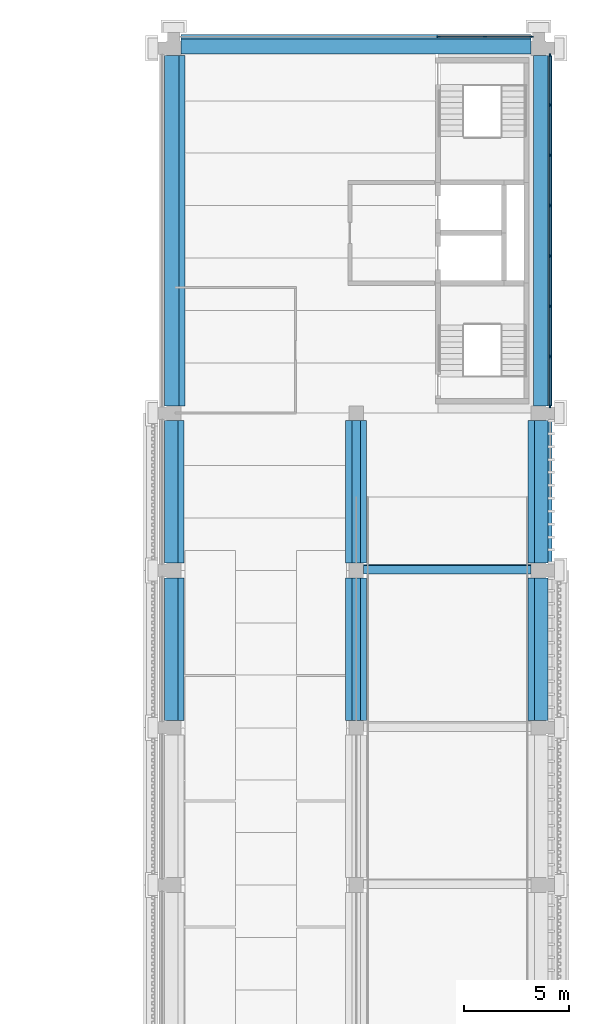
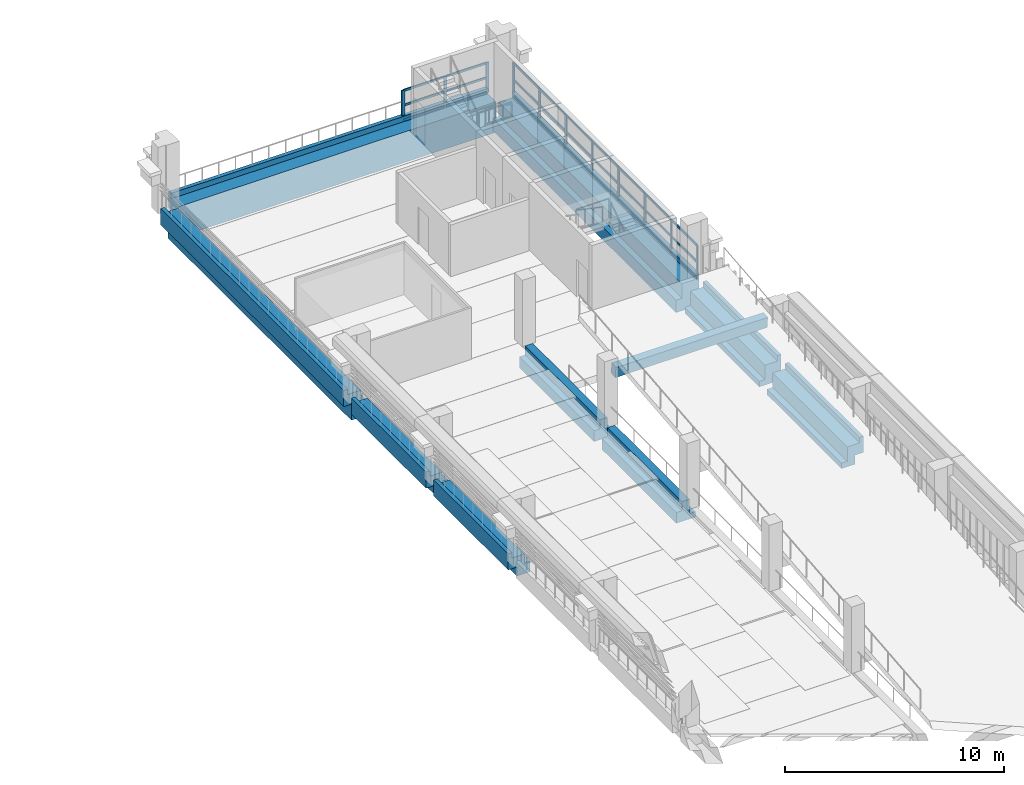
# One storey, part 5 of 25: 38 members, 10 beams, 2 elements without a shape of their own.
"""IFC4 building model written with IfcOpenShell, lengths in metres."""

from ifc_helpers import new_model, si_unit, direction, frame, origin, origin_2d, place, context, subcontext, project, spatial, polyline, rectangle, outline, extrude, material, layer, layer_set, material_profile, profile_set, type_object, element, aggregate, save


model = new_model("IFC4")

# Units and contexts
model_context = context("Model", 3, precision=1e-05, world=origin(), true_north=direction((0.0, 1.0)))
body_context = subcontext(model_context, "Body", "Model", "MODEL_VIEW")
ifc_project = project(units=[si_unit("LENGTHUNIT", "METRE"), si_unit("AREAUNIT", "SQUARE_METRE"), si_unit("VOLUMEUNIT", "CUBIC_METRE"), si_unit("PLANEANGLEUNIT", "RADIAN"), si_unit("MASSUNIT", "GRAM", prefix="KILO")], contexts=[model_context])

# Site, building, storey
site_placement = place(None, origin())
site = spatial("IfcSite", under=ifc_project, at=site_placement, CompositionType="ELEMENT")
building_placement = place(site_placement, origin())
building = spatial("IfcBuilding", under=site, at=building_placement, Name="Cour d'Honneur Mobility Palace", CompositionType="ELEMENT")
storey_placement = place(building_placement, frame((0.0, 0.0, 30.39990234375)))
storey = spatial("IfcBuildingStorey", under=building, at=storey_placement, Name="L08", CompositionType="ELEMENT", Elevation=30.39990234375)

# Curtain wall, members
ifc_material_1 = material(Name="Aluminium and glass", Category="aluminium")
ifc_layer = layer(ifc_material_1, 0.10009765625)
ifc_layer_set = layer_set([ifc_layer], Name="Aluminium and glass")
curtain_wall_type = type_object("IfcCurtainWallType", Name="Curtain wall run", PredefinedType="NOTDEFINED", material=ifc_layer_set)
curtain_wall_1_placement = place(storey_placement, origin())
curtain_wall_1 = element("IfcCurtainWall", 1, at=curtain_wall_1_placement, inside=storey, type_object=curtain_wall_type, Name="Curtain wall CW-97", PredefinedType="NOTDEFINED")
ifc_material_2 = material(Name="Aluminium", Category="aluminium")
ifc_material_profile_1 = material_profile(ifc_material_2, rectangle(XDim=0.06005859375, YDim=0.159912109375, at=origin_2d()), Name="Curtain wall mullion")
ifc_profile_set_1 = profile_set([ifc_material_profile_1], Name="Aluminium")
member_type_1 = type_object("IfcMemberType", Name="Curtain wall mullion", PredefinedType="MULLION", material=ifc_profile_set_1)
member_1_placement = place(storey_placement, frame((162.85009765625, 45.330078125, 0.0), z_axis=(0.0, 0.0, 1.0), x_axis=(-1.0, 0.0, 0.0)))
member_1 = element("IfcMember", 2, at=member_1_placement, type_object=member_type_1, Name="CW-97 mullion 1", PredefinedType="MULLION", context=body_context, shape_type="SweptSolid", body=[
    extrude(rectangle(XDim=0.06005859375, YDim=0.159912109375, at=origin_2d()), origin(), (0.0, 0.0, 1.0), 1.900146484375),
])
member_2_placement = place(storey_placement, frame((162.85009765625, 47.699951171875, 0.0), z_axis=(0.0, 0.0, 1.0), x_axis=(-1.0, 0.0, 0.0)))
member_2 = element("IfcMember", 3, at=member_2_placement, type_object=member_type_1, Name="CW-97 mullion 2", PredefinedType="MULLION", context=body_context, shape_type="SweptSolid", body=[
    extrude(rectangle(XDim=0.06005859375, YDim=0.159912109375, at=origin_2d()), origin(), (0.0, 0.0, 1.0), 1.900146484375),
])
member_3_placement = place(storey_placement, frame((162.85009765625, 50.10009765625, 0.0), z_axis=(0.0, 0.0, 1.0), x_axis=(-1.0, 0.0, 0.0)))
member_3 = element("IfcMember", 4, at=member_3_placement, type_object=member_type_1, Name="CW-97 mullion 3", PredefinedType="MULLION", context=body_context, shape_type="SweptSolid", body=[
    extrude(rectangle(XDim=0.06005859375, YDim=0.159912109375, at=origin_2d()), origin(), (0.0, 0.0, 1.0), 1.900146484375),
])
member_4_placement = place(storey_placement, frame((162.85009765625, 52.5, 0.0), z_axis=(0.0, 0.0, 1.0), x_axis=(-1.0, 0.0, 0.0)))
member_4 = element("IfcMember", 5, at=member_4_placement, type_object=member_type_1, Name="CW-97 mullion 4", PredefinedType="MULLION", context=body_context, shape_type="SweptSolid", body=[
    extrude(rectangle(XDim=0.06005859375, YDim=0.159912109375, at=origin_2d()), origin(), (0.0, 0.0, 1.0), 1.900146484375),
])
member_5_placement = place(storey_placement, frame((162.85009765625, 54.89990234375, 0.0), z_axis=(0.0, 0.0, 1.0), x_axis=(-1.0, 0.0, 0.0)))
member_5 = element("IfcMember", 6, at=member_5_placement, type_object=member_type_1, Name="CW-97 mullion 5", PredefinedType="MULLION", context=body_context, shape_type="SweptSolid", body=[
    extrude(rectangle(XDim=0.06005859375, YDim=0.159912109375, at=origin_2d()), origin(), (0.0, 0.0, 1.0), 1.900146484375),
])
member_6_placement = place(storey_placement, frame((162.85009765625, 57.300048828125, 0.0), z_axis=(0.0, 0.0, 1.0), x_axis=(-1.0, 0.0, 0.0)))
member_6 = element("IfcMember", 7, at=member_6_placement, type_object=member_type_1, Name="CW-97 mullion 6", PredefinedType="MULLION", context=body_context, shape_type="SweptSolid", body=[
    extrude(rectangle(XDim=0.06005859375, YDim=0.159912109375, at=origin_2d()), origin(), (0.0, 0.0, 1.0), 1.900146484375),
])
member_7_placement = place(storey_placement, frame((162.85009765625, 59.699951171875, 0.0), z_axis=(0.0, 0.0, 1.0), x_axis=(-1.0, 0.0, 0.0)))
member_7 = element("IfcMember", 8, at=member_7_placement, type_object=member_type_1, Name="CW-97 mullion 7", PredefinedType="MULLION", context=body_context, shape_type="SweptSolid", body=[
    extrude(rectangle(XDim=0.06005859375, YDim=0.159912109375, at=origin_2d()), origin(), (0.0, 0.0, 1.0), 1.900146484375),
])
member_8_placement = place(storey_placement, frame((162.85009765625, 62.070068359375, 0.0), z_axis=(0.0, 0.0, 1.0), x_axis=(-1.0, 0.0, 0.0)))
member_8 = element("IfcMember", 9, at=member_8_placement, type_object=member_type_1, Name="CW-97 mullion 8", PredefinedType="MULLION", context=body_context, shape_type="SweptSolid", body=[
    extrude(rectangle(XDim=0.06005859375, YDim=0.159912109375, at=origin_2d()), origin(), (0.0, 0.0, 1.0), 1.900146484375),
])

curtain_wall_2_placement = place(storey_placement, origin())
curtain_wall_2 = element("IfcCurtainWall", 10, at=curtain_wall_2_placement, inside=storey, type_object=curtain_wall_type, Name="Curtain wall CW-98", PredefinedType="NOTDEFINED")
member_9_placement = place(storey_placement, frame((161.969970703125, 62.949951171875, 0.0), z_axis=(0.0, 0.0, 1.0), x_axis=(0.0, -1.0, 0.0)))
member_9 = element("IfcMember", 11, at=member_9_placement, type_object=member_type_1, Name="CW-98 mullion 1", PredefinedType="MULLION", context=body_context, shape_type="SweptSolid", body=[
    extrude(rectangle(XDim=0.06005859375, YDim=0.159912109375, at=origin_2d()), origin(), (0.0, 0.0, 1.0), 1.7001953125),
])
member_10_placement = place(storey_placement, frame((159.75, 62.949951171875, 0.0), z_axis=(0.0, 0.0, 1.0), x_axis=(0.0, -1.0, 0.0)))
member_10 = element("IfcMember", 12, at=member_10_placement, type_object=member_type_1, Name="CW-98 mullion 2", PredefinedType="MULLION", context=body_context, shape_type="SweptSolid", body=[
    extrude(rectangle(XDim=0.06005859375, YDim=0.159912109375, at=origin_2d()), origin(), (0.0, 0.0, 1.0), 1.7001953125),
])
member_11_placement = place(storey_placement, frame((157.530029296875, 62.949951171875, 0.0), z_axis=(0.0, 0.0, 1.0), x_axis=(0.0, -1.0, 0.0)))
member_11 = element("IfcMember", 13, at=member_11_placement, type_object=member_type_1, Name="CW-98 mullion 3", PredefinedType="MULLION", context=body_context, shape_type="SweptSolid", body=[
    extrude(rectangle(XDim=0.06005859375, YDim=0.159912109375, at=origin_2d()), origin(), (0.0, 0.0, 1.0), 1.7001953125),
])

# Member
ifc_material_3 = material(Name="Aluminium", Category="aluminium")
ifc_material_profile_2 = material_profile(ifc_material_3, rectangle(XDim=0.06005859375, YDim=0.1201171875, at=origin_2d()), Name="Curtain wall transom")
ifc_profile_set_2 = profile_set([ifc_material_profile_2], Name="Aluminium")
member_type_2 = type_object("IfcMemberType", Name="Curtain wall transom", PredefinedType="USERDEFINED", material=ifc_profile_set_2)
member_12_placement = place(storey_placement, frame((162.85009765625, 45.360107421875, 0.030029296875), z_axis=(0.0, 1.0, 0.0), x_axis=(-1.0, 0.0, 0.0)))
member_12 = element("IfcMember", 14, at=member_12_placement, type_object=member_type_2, Name="CW-97 transom 1.1", ObjectType="TRANSOM", PredefinedType="USERDEFINED", context=body_context, shape_type="SweptSolid", body=[
    extrude(rectangle(XDim=0.06005859375, YDim=0.1201171875, at=origin_2d()), origin(), (0.0, 0.0, 1.0), 2.309814453125),
])

member_13_placement = place(storey_placement, frame((162.85009765625, 45.360107421875, 0.9501953125), z_axis=(0.0, 1.0, 0.0), x_axis=(-1.0, 0.0, 0.0)))
member_13 = element("IfcMember", 15, at=member_13_placement, type_object=member_type_2, Name="CW-97 transom 1.2", ObjectType="TRANSOM", PredefinedType="USERDEFINED", context=body_context, shape_type="SweptSolid", body=[
    extrude(rectangle(XDim=0.06005859375, YDim=0.1201171875, at=origin_2d()), origin(), (0.0, 0.0, 1.0), 2.309814453125),
])

member_14_placement = place(storey_placement, frame((162.85009765625, 45.360107421875, 1.8701171875), z_axis=(0.0, 1.0, 0.0), x_axis=(-1.0, 0.0, 0.0)))
member_14 = element("IfcMember", 16, at=member_14_placement, type_object=member_type_2, Name="CW-97 transom 1.3", ObjectType="TRANSOM", PredefinedType="USERDEFINED", context=body_context, shape_type="SweptSolid", body=[
    extrude(rectangle(XDim=0.06005859375, YDim=0.1201171875, at=origin_2d()), origin(), (0.0, 0.0, 1.0), 2.309814453125),
])

member_15_placement = place(storey_placement, frame((162.85009765625, 47.72998046875, 0.030029296875), z_axis=(0.0, 1.0, 0.0), x_axis=(-1.0, 0.0, 0.0)))
member_15 = element("IfcMember", 17, at=member_15_placement, type_object=member_type_2, Name="CW-97 transom 2.1", ObjectType="TRANSOM", PredefinedType="USERDEFINED", context=body_context, shape_type="SweptSolid", body=[
    extrude(rectangle(XDim=0.06005859375, YDim=0.1201171875, at=origin_2d()), origin(), (0.0, 0.0, 1.0), 2.340087890625),
])

member_16_placement = place(storey_placement, frame((162.85009765625, 47.72998046875, 0.9501953125), z_axis=(0.0, 1.0, 0.0), x_axis=(-1.0, 0.0, 0.0)))
member_16 = element("IfcMember", 18, at=member_16_placement, type_object=member_type_2, Name="CW-97 transom 2.2", ObjectType="TRANSOM", PredefinedType="USERDEFINED", context=body_context, shape_type="SweptSolid", body=[
    extrude(rectangle(XDim=0.06005859375, YDim=0.1201171875, at=origin_2d()), origin(), (0.0, 0.0, 1.0), 2.340087890625),
])

member_17_placement = place(storey_placement, frame((162.85009765625, 47.72998046875, 1.8701171875), z_axis=(0.0, 1.0, 0.0), x_axis=(-1.0, 0.0, 0.0)))
member_17 = element("IfcMember", 19, at=member_17_placement, type_object=member_type_2, Name="CW-97 transom 2.3", ObjectType="TRANSOM", PredefinedType="USERDEFINED", context=body_context, shape_type="SweptSolid", body=[
    extrude(rectangle(XDim=0.06005859375, YDim=0.1201171875, at=origin_2d()), origin(), (0.0, 0.0, 1.0), 2.340087890625),
])

member_18_placement = place(storey_placement, frame((162.85009765625, 50.1298828125, 0.030029296875), z_axis=(0.0, 1.0, 0.0), x_axis=(-1.0, 0.0, 0.0)))
member_18 = element("IfcMember", 20, at=member_18_placement, type_object=member_type_2, Name="CW-97 transom 3.1", ObjectType="TRANSOM", PredefinedType="USERDEFINED", context=body_context, shape_type="SweptSolid", body=[
    extrude(rectangle(XDim=0.06005859375, YDim=0.1201171875, at=origin_2d()), origin(), (0.0, 0.0, 1.0), 2.340087890625),
])

member_19_placement = place(storey_placement, frame((162.85009765625, 50.1298828125, 0.9501953125), z_axis=(0.0, 1.0, 0.0), x_axis=(-1.0, 0.0, 0.0)))
member_19 = element("IfcMember", 21, at=member_19_placement, type_object=member_type_2, Name="CW-97 transom 3.2", ObjectType="TRANSOM", PredefinedType="USERDEFINED", context=body_context, shape_type="SweptSolid", body=[
    extrude(rectangle(XDim=0.06005859375, YDim=0.1201171875, at=origin_2d()), origin(), (0.0, 0.0, 1.0), 2.340087890625),
])

member_20_placement = place(storey_placement, frame((162.85009765625, 50.1298828125, 1.8701171875), z_axis=(0.0, 1.0, 0.0), x_axis=(-1.0, 0.0, 0.0)))
member_20 = element("IfcMember", 22, at=member_20_placement, type_object=member_type_2, Name="CW-97 transom 3.3", ObjectType="TRANSOM", PredefinedType="USERDEFINED", context=body_context, shape_type="SweptSolid", body=[
    extrude(rectangle(XDim=0.06005859375, YDim=0.1201171875, at=origin_2d()), origin(), (0.0, 0.0, 1.0), 2.340087890625),
])

member_21_placement = place(storey_placement, frame((162.85009765625, 52.530029296875, 0.030029296875), z_axis=(0.0, 1.0, 0.0), x_axis=(-1.0, 0.0, 0.0)))
member_21 = element("IfcMember", 23, at=member_21_placement, type_object=member_type_2, Name="CW-97 transom 4.1", ObjectType="TRANSOM", PredefinedType="USERDEFINED", context=body_context, shape_type="SweptSolid", body=[
    extrude(rectangle(XDim=0.06005859375, YDim=0.1201171875, at=origin_2d()), origin(), (0.0, 0.0, 1.0), 2.340087890625),
])

member_22_placement = place(storey_placement, frame((162.85009765625, 52.530029296875, 0.9501953125), z_axis=(0.0, 1.0, 0.0), x_axis=(-1.0, 0.0, 0.0)))
member_22 = element("IfcMember", 24, at=member_22_placement, type_object=member_type_2, Name="CW-97 transom 4.2", ObjectType="TRANSOM", PredefinedType="USERDEFINED", context=body_context, shape_type="SweptSolid", body=[
    extrude(rectangle(XDim=0.06005859375, YDim=0.1201171875, at=origin_2d()), origin(), (0.0, 0.0, 1.0), 2.340087890625),
])

member_23_placement = place(storey_placement, frame((162.85009765625, 52.530029296875, 1.8701171875), z_axis=(0.0, 1.0, 0.0), x_axis=(-1.0, 0.0, 0.0)))
member_23 = element("IfcMember", 25, at=member_23_placement, type_object=member_type_2, Name="CW-97 transom 4.3", ObjectType="TRANSOM", PredefinedType="USERDEFINED", context=body_context, shape_type="SweptSolid", body=[
    extrude(rectangle(XDim=0.06005859375, YDim=0.1201171875, at=origin_2d()), origin(), (0.0, 0.0, 1.0), 2.340087890625),
])

member_24_placement = place(storey_placement, frame((162.85009765625, 54.929931640625, 0.030029296875), z_axis=(0.0, 1.0, 0.0), x_axis=(-1.0, 0.0, 0.0)))
member_24 = element("IfcMember", 26, at=member_24_placement, type_object=member_type_2, Name="CW-97 transom 5.1", ObjectType="TRANSOM", PredefinedType="USERDEFINED", context=body_context, shape_type="SweptSolid", body=[
    extrude(rectangle(XDim=0.06005859375, YDim=0.1201171875, at=origin_2d()), origin(), (0.0, 0.0, 1.0), 2.340087890625),
])

member_25_placement = place(storey_placement, frame((162.85009765625, 54.929931640625, 0.9501953125), z_axis=(0.0, 1.0, 0.0), x_axis=(-1.0, 0.0, 0.0)))
member_25 = element("IfcMember", 27, at=member_25_placement, type_object=member_type_2, Name="CW-97 transom 5.2", ObjectType="TRANSOM", PredefinedType="USERDEFINED", context=body_context, shape_type="SweptSolid", body=[
    extrude(rectangle(XDim=0.06005859375, YDim=0.1201171875, at=origin_2d()), origin(), (0.0, 0.0, 1.0), 2.340087890625),
])

member_26_placement = place(storey_placement, frame((162.85009765625, 54.929931640625, 1.8701171875), z_axis=(0.0, 1.0, 0.0), x_axis=(-1.0, 0.0, 0.0)))
member_26 = element("IfcMember", 28, at=member_26_placement, type_object=member_type_2, Name="CW-97 transom 5.3", ObjectType="TRANSOM", PredefinedType="USERDEFINED", context=body_context, shape_type="SweptSolid", body=[
    extrude(rectangle(XDim=0.06005859375, YDim=0.1201171875, at=origin_2d()), origin(), (0.0, 0.0, 1.0), 2.340087890625),
])

member_27_placement = place(storey_placement, frame((162.85009765625, 57.330078125, 0.030029296875), z_axis=(0.0, 1.0, 0.0), x_axis=(-1.0, 0.0, 0.0)))
member_27 = element("IfcMember", 29, at=member_27_placement, type_object=member_type_2, Name="CW-97 transom 6.1", ObjectType="TRANSOM", PredefinedType="USERDEFINED", context=body_context, shape_type="SweptSolid", body=[
    extrude(rectangle(XDim=0.06005859375, YDim=0.1201171875, at=origin_2d()), origin(), (0.0, 0.0, 1.0), 2.33984375),
])

member_28_placement = place(storey_placement, frame((162.85009765625, 57.330078125, 0.9501953125), z_axis=(0.0, 1.0, 0.0), x_axis=(-1.0, 0.0, 0.0)))
member_28 = element("IfcMember", 30, at=member_28_placement, type_object=member_type_2, Name="CW-97 transom 6.2", ObjectType="TRANSOM", PredefinedType="USERDEFINED", context=body_context, shape_type="SweptSolid", body=[
    extrude(rectangle(XDim=0.06005859375, YDim=0.1201171875, at=origin_2d()), origin(), (0.0, 0.0, 1.0), 2.33984375),
])

member_29_placement = place(storey_placement, frame((162.85009765625, 57.330078125, 1.8701171875), z_axis=(0.0, 1.0, 0.0), x_axis=(-1.0, 0.0, 0.0)))
member_29 = element("IfcMember", 31, at=member_29_placement, type_object=member_type_2, Name="CW-97 transom 6.3", ObjectType="TRANSOM", PredefinedType="USERDEFINED", context=body_context, shape_type="SweptSolid", body=[
    extrude(rectangle(XDim=0.06005859375, YDim=0.1201171875, at=origin_2d()), origin(), (0.0, 0.0, 1.0), 2.33984375),
])

member_30_placement = place(storey_placement, frame((162.85009765625, 59.72998046875, 0.030029296875), z_axis=(0.0, 1.0, 0.0), x_axis=(-1.0, 0.0, 0.0)))
member_30 = element("IfcMember", 32, at=member_30_placement, type_object=member_type_2, Name="CW-97 transom 7.1", ObjectType="TRANSOM", PredefinedType="USERDEFINED", context=body_context, shape_type="SweptSolid", body=[
    extrude(rectangle(XDim=0.06005859375, YDim=0.1201171875, at=origin_2d()), origin(), (0.0, 0.0, 1.0), 2.31005859375),
])

member_31_placement = place(storey_placement, frame((162.85009765625, 59.72998046875, 0.9501953125), z_axis=(0.0, 1.0, 0.0), x_axis=(-1.0, 0.0, 0.0)))
member_31 = element("IfcMember", 33, at=member_31_placement, type_object=member_type_2, Name="CW-97 transom 7.2", ObjectType="TRANSOM", PredefinedType="USERDEFINED", context=body_context, shape_type="SweptSolid", body=[
    extrude(rectangle(XDim=0.06005859375, YDim=0.1201171875, at=origin_2d()), origin(), (0.0, 0.0, 1.0), 2.31005859375),
])

member_32_placement = place(storey_placement, frame((162.85009765625, 59.72998046875, 1.8701171875), z_axis=(0.0, 1.0, 0.0), x_axis=(-1.0, 0.0, 0.0)))
member_32 = element("IfcMember", 34, at=member_32_placement, type_object=member_type_2, Name="CW-97 transom 7.3", ObjectType="TRANSOM", PredefinedType="USERDEFINED", context=body_context, shape_type="SweptSolid", body=[
    extrude(rectangle(XDim=0.06005859375, YDim=0.1201171875, at=origin_2d()), origin(), (0.0, 0.0, 1.0), 2.31005859375),
])

aggregate(curtain_wall_1, [member_1, member_2, member_3, member_4, member_5, member_6, member_7, member_8, member_12, member_13, member_14, member_15, member_16, member_17, member_18, member_19, member_20, member_21, member_22, member_23, member_24, member_25, member_26, member_27, member_28, member_29, member_30, member_31, member_32])

member_33_placement = place(storey_placement, frame((161.93994140625, 62.949951171875, 0.030029296875), z_axis=(-1.0, 0.0, 0.0), x_axis=(0.0, -1.0, 0.0)))
member_33 = element("IfcMember", 35, at=member_33_placement, type_object=member_type_2, Name="CW-98 transom 1.1", ObjectType="TRANSOM", PredefinedType="USERDEFINED", context=body_context, shape_type="SweptSolid", body=[
    extrude(rectangle(XDim=0.06005859375, YDim=0.1201171875, at=origin_2d()), origin(), (0.0, 0.0, 1.0), 2.159912109375),
])

member_34_placement = place(storey_placement, frame((161.93994140625, 62.949951171875, 0.85009765625), z_axis=(-1.0, 0.0, 0.0), x_axis=(0.0, -1.0, 0.0)))
member_34 = element("IfcMember", 36, at=member_34_placement, type_object=member_type_2, Name="CW-98 transom 1.2", ObjectType="TRANSOM", PredefinedType="USERDEFINED", context=body_context, shape_type="SweptSolid", body=[
    extrude(rectangle(XDim=0.06005859375, YDim=0.1201171875, at=origin_2d()), origin(), (0.0, 0.0, 1.0), 2.159912109375),
])

member_35_placement = place(storey_placement, frame((161.93994140625, 62.949951171875, 1.670166015625), z_axis=(-1.0, 0.0, 0.0), x_axis=(0.0, -1.0, 0.0)))
member_35 = element("IfcMember", 37, at=member_35_placement, type_object=member_type_2, Name="CW-98 transom 1.3", ObjectType="TRANSOM", PredefinedType="USERDEFINED", context=body_context, shape_type="SweptSolid", body=[
    extrude(rectangle(XDim=0.06005859375, YDim=0.1201171875, at=origin_2d()), origin(), (0.0, 0.0, 1.0), 2.159912109375),
])

member_36_placement = place(storey_placement, frame((159.719970703125, 62.949951171875, 0.030029296875), z_axis=(-1.0, 0.0, 0.0), x_axis=(0.0, -1.0, 0.0)))
member_36 = element("IfcMember", 38, at=member_36_placement, type_object=member_type_2, Name="CW-98 transom 2.1", ObjectType="TRANSOM", PredefinedType="USERDEFINED", context=body_context, shape_type="SweptSolid", body=[
    extrude(rectangle(XDim=0.06005859375, YDim=0.1201171875, at=origin_2d()), origin(), (0.0, 0.0, 1.0), 2.159912109375),
])

member_37_placement = place(storey_placement, frame((159.719970703125, 62.949951171875, 0.85009765625), z_axis=(-1.0, 0.0, 0.0), x_axis=(0.0, -1.0, 0.0)))
member_37 = element("IfcMember", 39, at=member_37_placement, type_object=member_type_2, Name="CW-98 transom 2.2", ObjectType="TRANSOM", PredefinedType="USERDEFINED", context=body_context, shape_type="SweptSolid", body=[
    extrude(rectangle(XDim=0.06005859375, YDim=0.1201171875, at=origin_2d()), origin(), (0.0, 0.0, 1.0), 2.159912109375),
])

member_38_placement = place(storey_placement, frame((159.719970703125, 62.949951171875, 1.670166015625), z_axis=(-1.0, 0.0, 0.0), x_axis=(0.0, -1.0, 0.0)))
member_38 = element("IfcMember", 40, at=member_38_placement, type_object=member_type_2, Name="CW-98 transom 2.3", ObjectType="TRANSOM", PredefinedType="USERDEFINED", context=body_context, shape_type="SweptSolid", body=[
    extrude(rectangle(XDim=0.06005859375, YDim=0.1201171875, at=origin_2d()), origin(), (0.0, 0.0, 1.0), 2.159912109375),
])

aggregate(curtain_wall_2, [member_9, member_10, member_11, member_33, member_34, member_35, member_36, member_37, member_38])

# Beams
ifc_material_4 = material(Name="Concrete C45", Category="concrete")
ifc_material_profile_3 = material_profile(ifc_material_4, outline(polyline([(0.27490234375, -1.699951171875), (0.27490234375, -0.60009765625), (0.64990234375, -0.60009765625), (0.64990234375, 0.300048828125), (0.449951171875, 0.300048828125), (0.449951171875, 0.0), (0.27490234375, 0.0), (-0.27490234375, 0.0), (-0.27490234375, -1.699951171875), (0.27490234375, -1.699951171875)])), Name="Edge Spandrel Beam 550x1700 no ledge facade left")
ifc_profile_set_3 = profile_set([ifc_material_profile_3], Name="Concrete C45")
beam_type_1 = type_object("IfcBeamType", Name="Edge Spandrel Beam 550x1700 no ledge facade left", PredefinedType="SPANDREL", material=ifc_profile_set_3)
beam_1_placement = place(storey_placement, frame((145.25, 62.39990234375, 0.0), z_axis=(1.0, 0.0, 0.0), x_axis=(0.0, 1.0, 0.0)))
element("IfcBeam", 41, at=beam_1_placement, inside=storey, type_object=beam_type_1, Name="Precast beam B7 19-20 L08", PredefinedType="SPANDREL", context=body_context, shape_type="SweptSolid", body=[
    extrude(outline(polyline([(0.27490234375, -1.699951171875), (0.27490234375, -0.60009765625), (0.64990234375, -0.60009765625), (0.64990234375, 0.300048828125), (0.449951171875, 0.300048828125), (0.449951171875, 0.0), (0.27490234375, 0.0), (-0.27490234375, 0.0), (-0.27490234375, -1.699951171875), (0.27490234375, -1.699951171875)])), origin(), (0.0, 0.0, 1.0), 16.699951171875),
])
ifc_material_5 = material(Name="Concrete C45", Category="concrete")
ifc_material_profile_4 = material_profile(ifc_material_5, outline(polyline([(0.5, -1.10009765625), (0.5, -0.5), (0.199951171875, -0.5), (0.199951171875, 0.0), (-0.199951171875, 0.0), (-0.199951171875, -0.800048828125), (-0.5, -0.800048828125), (-0.5, -1.10009765625), (0.5, -1.10009765625)])), Name="Inverted Tee Beam 400x1100 ledges 600/300 plain")
ifc_profile_set_4 = profile_set([ifc_material_profile_4], Name="Concrete C45")
beam_type_2 = type_object("IfcBeamType", Name="Inverted Tee Beam 400x1100 ledges 600/300 plain", PredefinedType="T_BEAM", material=ifc_profile_set_4)
for number, where, z_axis, x_axis, name in (
    (42, (153.60009765625, 30.35009765625, 0.0), (0.0, 1.0, 0.0), (-1.0, 0.0, 0.0), "Precast beam B19 E-F L08"),
    (43, (153.60009765625, 37.85009765625, 0.0), (0.0, 1.0, 0.0), (-1.0, 0.0, 0.0), "Precast beam B19 F-G L08"),
):
    element("IfcBeam", number, at=place(storey_placement, frame(where, z_axis=z_axis, x_axis=x_axis)), inside=storey, type_object=beam_type_2, Name=name, PredefinedType="T_BEAM", context=body_context, shape_type="SweptSolid", body=[
        extrude(outline(polyline([(0.5, -1.10009765625), (0.5, -0.5), (0.199951171875, -0.5), (0.199951171875, 0.0), (-0.199951171875, 0.0), (-0.199951171875, -0.800048828125), (-0.5, -0.800048828125), (-0.5, -1.10009765625), (0.5, -1.10009765625)])), origin(), (0.0, 0.0, 1.0), 6.7998046875),
    ])
ifc_material_6 = material(Name="Concrete C45", Category="concrete")
ifc_material_profile_5 = material_profile(ifc_material_6, outline(polyline([(0.5, -1.10009765625), (0.5, -0.800048828125), (0.199951171875, -0.800048828125), (0.199951171875, 0.0), (-0.199951171875, 0.0), (-0.449951171875, 0.0), (-0.449951171875, 0.300048828125), (-0.64990234375, 0.300048828125), (-0.64990234375, -0.60009765625), (-0.199951171875, -0.60009765625), (-0.199951171875, -1.10009765625), (0.5, -1.10009765625)])), Name="Ledger Beam 400x1100 ledge left 300 facade right")
ifc_profile_set_5 = profile_set([ifc_material_profile_5], Name="Concrete C45")
beam_type_3 = type_object("IfcBeamType", Name="Ledger Beam 400x1100 ledge left 300 facade right", PredefinedType="BEAM", material=ifc_profile_set_5)
for number, where, z_axis, x_axis, name in (
    (44, (162.300048828125, 30.35009765625, 0.0), (0.0, 1.0, 0.0), (-1.0, 0.0, 0.0), "Precast beam B3 E-F L08"),
    (45, (162.300048828125, 37.85009765625, 0.0), (0.0, 1.0, 0.0), (-1.0, 0.0, 0.0), "Precast beam B3 F-G L08"),
):
    element("IfcBeam", number, at=place(storey_placement, frame(where, z_axis=z_axis, x_axis=x_axis)), inside=storey, type_object=beam_type_3, Name=name, PredefinedType="BEAM", context=body_context, shape_type="SweptSolid", body=[
        extrude(outline(polyline([(0.5, -1.10009765625), (0.5, -0.800048828125), (0.199951171875, -0.800048828125), (0.199951171875, 0.0), (-0.199951171875, 0.0), (-0.449951171875, 0.0), (-0.449951171875, 0.300048828125), (-0.64990234375, 0.300048828125), (-0.64990234375, -0.60009765625), (-0.199951171875, -0.60009765625), (-0.199951171875, -1.10009765625), (0.5, -1.10009765625)])), origin(), (0.0, 0.0, 1.0), 6.7998046875),
    ])
ifc_material_7 = material(Name="Concrete C45", Category="concrete")
ifc_material_profile_6 = material_profile(ifc_material_7, outline(polyline([(0.199951171875, -1.10009765625), (0.199951171875, -0.60009765625), (0.64990234375, -0.60009765625), (0.64990234375, 0.300048828125), (0.449951171875, 0.300048828125), (0.449951171875, 0.0), (0.199951171875, 0.0), (-0.199951171875, 0.0), (-0.199951171875, -0.5), (-0.5, -0.5), (-0.5, -1.10009765625), (0.199951171875, -1.10009765625)])), Name="Ledger Beam 400x1100 ledge right 600 facade left")
ifc_profile_set_6 = profile_set([ifc_material_profile_6], Name="Concrete C45")
beam_type_4 = type_object("IfcBeamType", Name="Ledger Beam 400x1100 ledge right 600 facade left", PredefinedType="BEAM", material=ifc_profile_set_6)
for number, where, z_axis, x_axis, name in (
    (46, (144.89990234375, 30.35009765625, 0.0), (0.0, 1.0, 0.0), (-1.0, 0.0, 0.0), "Precast beam B15 E-F L08"),
    (47, (144.89990234375, 37.85009765625, 0.0), (0.0, 1.0, 0.0), (-1.0, 0.0, 0.0), "Precast beam B15 F-G L08"),
):
    element("IfcBeam", number, at=place(storey_placement, frame(where, z_axis=z_axis, x_axis=x_axis)), inside=storey, type_object=beam_type_4, Name=name, PredefinedType="BEAM", context=body_context, shape_type="SweptSolid", body=[
        extrude(outline(polyline([(0.199951171875, -1.10009765625), (0.199951171875, -0.60009765625), (0.64990234375, -0.60009765625), (0.64990234375, 0.300048828125), (0.449951171875, 0.300048828125), (0.449951171875, 0.0), (0.199951171875, 0.0), (-0.199951171875, 0.0), (-0.199951171875, -0.5), (-0.5, -0.5), (-0.5, -1.10009765625), (0.199951171875, -1.10009765625)])), origin(), (0.0, 0.0, 1.0), 6.7998046875),
    ])
ifc_material_8 = material(Name="Concrete C45", Category="concrete")
ifc_material_profile_7 = material_profile(ifc_material_8, outline(polyline([(0.550048828125, -1.5), (0.550048828125, -0.800048828125), (0.25, -0.800048828125), (0.25, 0.0), (-0.25, 0.0), (-0.449951171875, 0.0), (-0.449951171875, 0.300048828125), (-0.64990234375, 0.300048828125), (-0.64990234375, -0.60009765625), (-0.25, -0.60009765625), (-0.25, -1.5), (0.550048828125, -1.5)])), Name="Ledger Beam 500x1500 ledge left 700 facade right")
ifc_profile_set_7 = profile_set([ifc_material_profile_7], Name="Concrete C45")
beam_type_5 = type_object("IfcBeamType", Name="Ledger Beam 500x1500 ledge left 700 facade right", PredefinedType="BEAM", material=ifc_profile_set_7)
beam_2_placement = place(storey_placement, frame((162.300048828125, 45.35009765625, 0.0), z_axis=(0.0, 1.0, 0.0), x_axis=(-1.0, 0.0, 0.0)))
element("IfcBeam", 48, at=beam_2_placement, inside=storey, type_object=beam_type_5, Name="Precast beam B21 G-H L08", PredefinedType="BEAM", context=body_context, shape_type="SweptSolid", body=[
    extrude(outline(polyline([(0.550048828125, -1.5), (0.550048828125, -0.800048828125), (0.25, -0.800048828125), (0.25, 0.0), (-0.25, 0.0), (-0.449951171875, 0.0), (-0.449951171875, 0.300048828125), (-0.64990234375, 0.300048828125), (-0.64990234375, -0.60009765625), (-0.25, -0.60009765625), (-0.25, -1.5), (0.550048828125, -1.5)])), origin(), (0.0, 0.0, 1.0), 16.699951171875),
])
ifc_material_9 = material(Name="Concrete C45", Category="concrete")
ifc_material_profile_8 = material_profile(ifc_material_9, outline(polyline([(0.25, -1.5), (0.25, -0.60009765625), (0.64990234375, -0.60009765625), (0.64990234375, 0.300048828125), (0.449951171875, 0.300048828125), (0.449951171875, 0.0), (0.25, 0.0), (-0.25, 0.0), (-0.25, -0.64990234375), (-0.550048828125, -0.64990234375), (-0.550048828125, -1.5), (0.25, -1.5)])), Name="Ledger Beam 500x1500 ledge right 850 facade left")
ifc_profile_set_8 = profile_set([ifc_material_profile_8], Name="Concrete C45")
beam_type_6 = type_object("IfcBeamType", Name="Ledger Beam 500x1500 ledge right 850 facade left", PredefinedType="BEAM", material=ifc_profile_set_8)
beam_3_placement = place(storey_placement, frame((144.89990234375, 45.35009765625, 0.0), z_axis=(0.0, 1.0, 0.0), x_axis=(-1.0, 0.0, 0.0)))
element("IfcBeam", 49, at=beam_3_placement, inside=storey, type_object=beam_type_6, Name="Precast beam B24 G-H L08", PredefinedType="BEAM", context=body_context, shape_type="SweptSolid", body=[
    extrude(outline(polyline([(0.25, -1.5), (0.25, -0.60009765625), (0.64990234375, -0.60009765625), (0.64990234375, 0.300048828125), (0.449951171875, 0.300048828125), (0.449951171875, 0.0), (0.25, 0.0), (-0.25, 0.0), (-0.25, -0.64990234375), (-0.550048828125, -0.64990234375), (-0.550048828125, -1.5), (0.25, -1.5)])), origin(), (0.0, 0.0, 1.0), 16.699951171875),
])
ifc_material_10 = material(Name="Concrete C40", Category="concrete")
ifc_material_profile_9 = material_profile(ifc_material_10, rectangle(XDim=0.39990234375, YDim=0.60009765625, at=origin_2d()), Name="Ramp cross beam 400x600")
ifc_profile_set_9 = profile_set([ifc_material_profile_9], Name="Concrete C40")
beam_type_7 = type_object("IfcBeamType", Name="Ramp cross beam 400x600", PredefinedType="BEAM", material=ifc_profile_set_9)
beam_4_placement = place(storey_placement, frame((161.949951171875, 37.559814453125, 2.753173828125), z_axis=(-1.0, 0.0, 0.0), x_axis=(0.0, -0.995037190449, -0.099503716633)))
element("IfcBeam", 50, at=beam_4_placement, inside=storey, type_object=beam_type_7, Name="Ramp cross beam SE.R8-5", PredefinedType="BEAM", context=body_context, shape_type="SweptSolid", body=[
    extrude(rectangle(XDim=0.39990234375, YDim=0.60009765625, at=origin_2d()), origin(), (0.0, 0.0, 1.0), 8.0),
])

save(model, "model.ifc")
